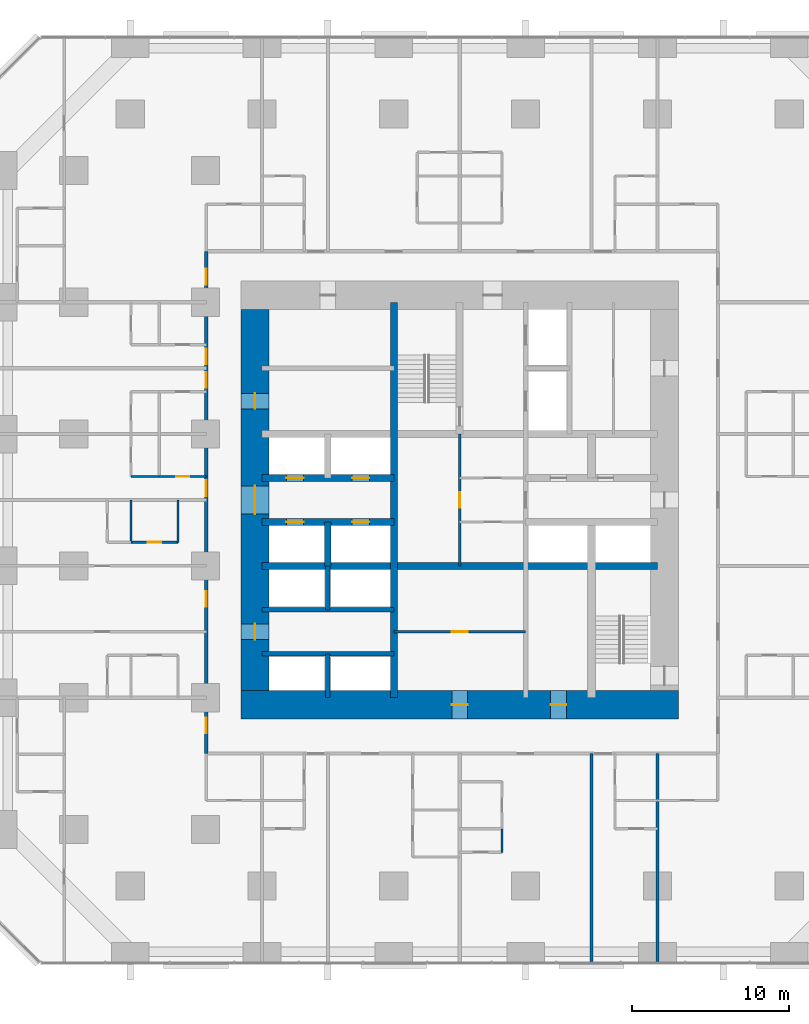
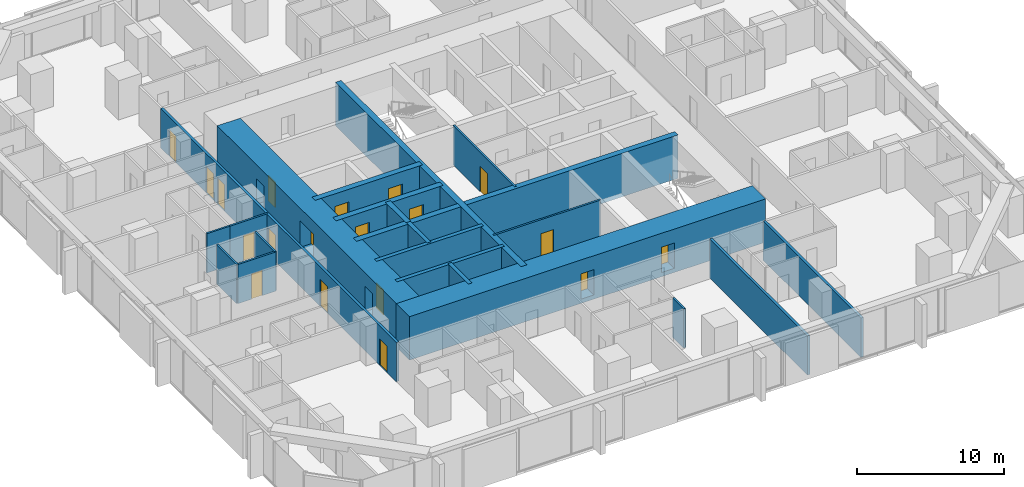
# One storey, part 12 of 17: 22 walls, 19 doors, 19 openings.
"""IFC4 building model written with IfcOpenShell, lengths in metres."""

from ifc_helpers import new_model, si_unit, direction, frame, frame_2d, origin, place, context, subcontext, project, spatial, rectangle, extrude, material, layer, layer_set, type_object, element, fill, save


model = new_model("IFC4")

# Units and contexts
model_context = context("Model", 3, precision=1e-05, world=origin(), true_north=direction((0.0, 1.0)))
body_context = subcontext(model_context, "Body", "Model", "MODEL_VIEW")
ifc_project = project(units=[si_unit("LENGTHUNIT", "METRE"), si_unit("AREAUNIT", "SQUARE_METRE"), si_unit("VOLUMEUNIT", "CUBIC_METRE"), si_unit("PLANEANGLEUNIT", "RADIAN"), si_unit("MASSUNIT", "GRAM", prefix="KILO")], contexts=[model_context])

# Site, building, storey
site_placement = place(None, origin())
site = spatial("IfcSite", under=ifc_project, at=site_placement, CompositionType="ELEMENT")
building_placement = place(site_placement, origin())
building = spatial("IfcBuilding", under=site, at=building_placement, Name="Dunama Terrace Hotel", CompositionType="ELEMENT")
storey_placement = place(building_placement, frame((0.0, 0.0, 34.199951171875)))
storey = spatial("IfcBuildingStorey", under=building, at=storey_placement, Name="L07", CompositionType="ELEMENT", Elevation=34.199951171875)

# Wall
ifc_material_1 = material(Name="Gypsum board partition", Category="masonry")
ifc_layer_1 = layer(ifc_material_1, 0.14990234375)
ifc_layer_set_1 = layer_set([ifc_layer_1], Name="Bathroom partition 150")
wall_type_1 = type_object("IfcWallType", Name="Bathroom partition 150", PredefinedType="PARTITIONING", material=ifc_layer_set_1)
wall_1_placement = place(storey_placement, frame((11.449951171875, 26.699951171875, 0.0), z_axis=(0.0, 0.0, 1.0), x_axis=(0.0, 1.0, 0.0)))
element("IfcWall", 1, at=wall_1_placement, inside=storey, type_object=wall_type_1, Name="Bathroom partition 150 L07", PredefinedType="PARTITIONING", context=body_context, shape_type="SweptSolid", body=[
    extrude(rectangle(XDim=2.699951171875, YDim=0.14990234375, at=frame_2d((1.35009765625, 0.0))), origin(), (0.0, 0.0, 1.0), 3.25),
])

# Wall, opening, door
wall_2_placement = place(storey_placement, frame((8.449951171875, 26.699951171875, 0.0), z_axis=(0.0, 0.0, 1.0), x_axis=(1.0, 0.0, 0.0)))
wall_2 = element("IfcWall", 2, at=wall_2_placement, inside=storey, type_object=wall_type_1, Name="Bathroom partition 150 L07", PredefinedType="PARTITIONING", context=body_context, shape_type="SweptSolid", body=[
    extrude(rectangle(XDim=3.0, YDim=0.14990234375, at=frame_2d((1.5, 0.0))), origin(), (0.0, 0.0, 1.0), 3.25),
])
opening_1_placement = place(wall_2_placement, frame((1.074951171875, 0.0, 0.0)))
opening_1 = element("IfcOpeningElement", 3, at=opening_1_placement, cuts=wall_2, Name="Opening L07-09-047", PredefinedType="OPENING", context=body_context, shape_type="SweptSolid", body=[
    extrude(rectangle(XDim=0.85009765625, YDim=2.10009765625, at=frame_2d((0.425048828125, 1.050048828125))), frame((0.0, 0.0849609375, 0.0), z_axis=(0.0, -1.0, 0.0), x_axis=(1.0, 0.0, 0.0)), (0.0, 0.0, 1.0), 0.169921875),
])
ifc_material_2 = material(Name="Timber door with steel frame", Category="steel")
door_type_1 = type_object("IfcDoorType", Name="Bathroom door 850", OperationType="SINGLE_SWING_LEFT", PredefinedType="DOOR", material=ifc_material_2)
door_1_placement = place(opening_1_placement, origin())
door_1 = element("IfcDoor", 4, at=door_1_placement, inside=storey, type_object=door_type_1, Name="Door to en-suite bathroom L07-09-047, type D2", OperationType="SINGLE_SWING_LEFT", OverallHeight=2.10009765625, OverallWidth=0.85009765625, PredefinedType="DOOR", context=body_context, shape_type="SweptSolid", body=[
    extrude(rectangle(XDim=0.85009765625, YDim=2.10009765625, at=frame_2d((0.425048828125, 1.050048828125))), frame((0.0, 0.02490234375, 0.0), z_axis=(0.0, -1.0, 0.0), x_axis=(1.0, 0.0, 0.0)), (0.0, 0.0, 1.0), 0.050048828125),
])
fill(opening_1, door_1)

wall_3_placement = place(storey_placement, frame((10.25, 30.89990234375, 0.0), z_axis=(0.0, 0.0, 1.0), x_axis=(1.0, 0.0, 0.0)))
wall_3 = element("IfcWall", 5, at=wall_3_placement, inside=storey, type_object=wall_type_1, Name="Bathroom partition 150 L07", PredefinedType="PARTITIONING", context=body_context, shape_type="SweptSolid", body=[
    extrude(rectangle(XDim=3.0, YDim=0.14990234375, at=frame_2d((1.5, 0.0))), origin(), (0.0, 0.0, 1.0), 3.25),
])
opening_2_placement = place(wall_3_placement, frame((1.074951171875, 0.0, 0.0)))
opening_2 = element("IfcOpeningElement", 6, at=opening_2_placement, cuts=wall_3, Name="Opening L07-09-050", PredefinedType="OPENING", context=body_context, shape_type="SweptSolid", body=[
    extrude(rectangle(XDim=0.85009765625, YDim=2.10009765625, at=frame_2d((0.425048828125, 1.050048828125))), frame((0.0, 0.0849609375, 0.0), z_axis=(0.0, -1.0, 0.0), x_axis=(1.0, 0.0, 0.0)), (0.0, 0.0, 1.0), 0.169921875),
])
door_2_placement = place(opening_2_placement, origin())
door_2 = element("IfcDoor", 7, at=door_2_placement, inside=storey, type_object=door_type_1, Name="Door to en-suite bathroom L07-09-050, type D2", OperationType="SINGLE_SWING_RIGHT", OverallHeight=2.10009765625, OverallWidth=0.85009765625, PredefinedType="DOOR", context=body_context, shape_type="SweptSolid", body=[
    extrude(rectangle(XDim=0.85009765625, YDim=2.10009765625, at=frame_2d((0.425048828125, 1.050048828125))), frame((0.0, 0.02490234375, 0.0), z_axis=(0.0, -1.0, 0.0), x_axis=(1.0, 0.0, 0.0)), (0.0, 0.0, 1.0), 0.050048828125),
])
fill(opening_2, door_2)

# Walls
ifc_material_3 = material(Name="Concrete C50/60", Category="concrete")
ifc_layer_2 = layer(ifc_material_3, 0.300048828125)
ifc_layer_set_2 = layer_set([ifc_layer_2], Name="Core inner wall 300")
wall_type_2 = type_object("IfcWallType", Name="Core inner wall 300", PredefinedType="SHEAR", material=ifc_layer_set_2)
for number, where, z_axis, x_axis, name in (
    (8, (21.0, 16.800048828125, -0.349853515625), (0.0, 0.0, 1.0), (0.0, 1.0, 0.0), "Core inner wall 300 L07"),
    (9, (21.0, 22.39990234375, -0.349853515625), (0.0, 0.0, 1.0), (0.0, 1.0, 0.0), "Core inner wall 300 L07"),
):
    element("IfcWall", number, at=place(storey_placement, frame(where, z_axis=z_axis, x_axis=x_axis)), inside=storey, type_object=wall_type_2, Name=name, PredefinedType="SHEAR", context=body_context, shape_type="SweptSolid", body=[
        extrude(rectangle(XDim=2.800048828125, YDim=0.300048828125, at=frame_2d((1.39990234375, 0.0))), origin(), (0.0, 0.0, 1.0), 3.599853515625),
    ])
for number, where, z_axis, x_axis, name in (
    (10, (16.800048828125, 19.60009765625, -0.349853515625), (0.0, 0.0, 1.0), (1.0, 0.0, 0.0), "Core inner wall 300 L07"),
    (11, (16.800048828125, 22.39990234375, -0.349853515625), (0.0, 0.0, 1.0), (1.0, 0.0, 0.0), "Core inner wall 300 L07"),
):
    element("IfcWall", number, at=place(storey_placement, frame(where, z_axis=z_axis, x_axis=x_axis)), inside=storey, type_object=wall_type_2, Name=name, PredefinedType="SHEAR", context=body_context, shape_type="SweptSolid", body=[
        extrude(rectangle(XDim=8.39990234375, YDim=0.300048828125, at=frame_2d((4.199951171875, 0.0))), origin(), (0.0, 0.0, 1.0), 3.599853515625),
    ])
ifc_material_4 = material(Name="Concrete C50/60", Category="concrete")
ifc_layer_3 = layer(ifc_material_4, 0.39990234375)
ifc_layer_set_3 = layer_set([ifc_layer_3], Name="Core inner wall 400")
wall_type_3 = type_object("IfcWallType", Name="Core inner wall 400", PredefinedType="SHEAR", material=ifc_layer_set_3)
wall_4_placement = place(storey_placement, frame((21.0, 25.199951171875, -0.349853515625), z_axis=(0.0, 0.0, 1.0), x_axis=(0.0, 1.0, 0.0)))
element("IfcWall", 12, at=wall_4_placement, inside=storey, type_object=wall_type_3, Name="Core inner wall 400 L07", PredefinedType="SHEAR", context=body_context, shape_type="SweptSolid", body=[
    extrude(rectangle(XDim=2.800048828125, YDim=0.39990234375, at=frame_2d((1.39990234375, 0.0))), origin(), (0.0, 0.0, 1.0), 3.599853515625),
])
ifc_material_5 = material(Name="Concrete C50/60", Category="concrete")
ifc_layer_4 = layer(ifc_material_5, 0.449951171875)
ifc_layer_set_4 = layer_set([ifc_layer_4], Name="Core inner wall 450")
wall_type_4 = type_object("IfcWallType", Name="Core inner wall 450", PredefinedType="SHEAR", material=ifc_layer_set_4)
for number, where, z_axis, x_axis, name in (
    (13, (25.199951171875, 16.800048828125, -0.349853515625), (0.0, 0.0, 1.0), (0.0, 1.0, 0.0), "Core inner wall 450 L07"),
    (14, (16.800048828125, 25.199951171875, -0.349853515625), (0.0, 0.0, 1.0), (1.0, 0.0, 0.0), "Core inner wall 450 L07"),
):
    element("IfcWall", number, at=place(storey_placement, frame(where, z_axis=z_axis, x_axis=x_axis)), inside=storey, type_object=wall_type_4, Name=name, PredefinedType="SHEAR", context=body_context, shape_type="SweptSolid", body=[
        extrude(rectangle(XDim=25.199951171875, YDim=0.449951171875, at=frame_2d((12.60009765625, 0.0))), origin(), (0.0, 0.0, 1.0), 3.599853515625),
    ])

# Wall, openings, doors
wall_5_placement = place(storey_placement, frame((16.800048828125, 28.0, -0.349853515625), z_axis=(0.0, 0.0, 1.0), x_axis=(1.0, 0.0, 0.0)))
wall_5 = element("IfcWall", 15, at=wall_5_placement, inside=storey, type_object=wall_type_4, Name="Core inner wall 450 L07", PredefinedType="SHEAR", context=body_context, shape_type="SweptSolid", body=[
    extrude(rectangle(XDim=8.39990234375, YDim=0.449951171875, at=frame_2d((4.199951171875, 0.0))), origin(), (0.0, 0.0, 1.0), 3.599853515625),
])
opening_3_placement = place(wall_5_placement, frame((1.550048828125, 0.0, 0.35009765625)))
opening_3 = element("IfcOpeningElement", 16, at=opening_3_placement, cuts=wall_5, Name="Opening L07-09-003", PredefinedType="OPENING", context=body_context, shape_type="SweptSolid", body=[
    extrude(rectangle(XDim=1.10009765625, YDim=2.199951171875, at=frame_2d((0.550048828125, 1.10009765625))), frame((0.0, 0.23486328125, 0.0), z_axis=(0.0, -1.0, 0.0), x_axis=(1.0, 0.0, 0.0)), (0.0, 0.0, 1.0), 0.469970703125),
])
opening_4_placement = place(wall_5_placement, frame((5.75, 0.0, 0.35009765625)))
opening_4 = element("IfcOpeningElement", 17, at=opening_4_placement, cuts=wall_5, Name="Opening L07-09-004", PredefinedType="OPENING", context=body_context, shape_type="SweptSolid", body=[
    extrude(rectangle(XDim=1.10009765625, YDim=2.199951171875, at=frame_2d((0.550048828125, 1.10009765625))), frame((0.0, 0.23486328125, 0.0), z_axis=(0.0, -1.0, 0.0), x_axis=(1.0, 0.0, 0.0)), (0.0, 0.0, 1.0), 0.469970703125),
])
ifc_material_6 = material(Name="Stainless steel lift door", Category="steel")
door_type_2 = type_object("IfcDoorType", Name="Lift landing door 1100", OperationType="DOUBLE_DOOR_SLIDING", PredefinedType="DOOR", material=ifc_material_6)
door_3_placement = place(opening_3_placement, origin())
door_3 = element("IfcDoor", 18, at=door_3_placement, inside=storey, type_object=door_type_2, Name="Landing door PA1 L07-09-003, type LD1", OperationType="DOUBLE_DOOR_SLIDING", OverallHeight=2.199951171875, OverallWidth=1.10009765625, PredefinedType="DOOR", context=body_context, shape_type="SweptSolid", body=[
    extrude(rectangle(XDim=1.10009765625, YDim=2.199951171875, at=frame_2d((0.550048828125, 1.10009765625))), frame((0.0, 0.02490234375, 0.0), z_axis=(0.0, -1.0, 0.0), x_axis=(1.0, 0.0, 0.0)), (0.0, 0.0, 1.0), 0.050048828125),
])
fill(opening_3, door_3)
door_4_placement = place(opening_4_placement, origin())
door_4 = element("IfcDoor", 19, at=door_4_placement, inside=storey, type_object=door_type_2, Name="Landing door PA2 L07-09-004, type LD1", OperationType="DOUBLE_DOOR_SLIDING", OverallHeight=2.199951171875, OverallWidth=1.10009765625, PredefinedType="DOOR", context=body_context, shape_type="SweptSolid", body=[
    extrude(rectangle(XDim=1.10009765625, YDim=2.199951171875, at=frame_2d((0.550048828125, 1.10009765625))), frame((0.0, 0.02490234375, 0.0), z_axis=(0.0, -1.0, 0.0), x_axis=(1.0, 0.0, 0.0)), (0.0, 0.0, 1.0), 0.050048828125),
])
fill(opening_4, door_4)

wall_6_placement = place(storey_placement, frame((16.800048828125, 30.800048828125, -0.349853515625), z_axis=(0.0, 0.0, 1.0), x_axis=(1.0, 0.0, 0.0)))
wall_6 = element("IfcWall", 20, at=wall_6_placement, inside=storey, type_object=wall_type_4, Name="Core inner wall 450 L07", PredefinedType="SHEAR", context=body_context, shape_type="SweptSolid", body=[
    extrude(rectangle(XDim=8.39990234375, YDim=0.449951171875, at=frame_2d((4.199951171875, 0.0))), origin(), (0.0, 0.0, 1.0), 3.599853515625),
])
opening_5_placement = place(wall_6_placement, frame((1.550048828125, 0.0, 0.35009765625)))
opening_5 = element("IfcOpeningElement", 21, at=opening_5_placement, cuts=wall_6, Name="Opening L07-09-005", PredefinedType="OPENING", context=body_context, shape_type="SweptSolid", body=[
    extrude(rectangle(XDim=1.10009765625, YDim=2.199951171875, at=frame_2d((0.550048828125, 1.10009765625))), frame((0.0, 0.23486328125, 0.0), z_axis=(0.0, -1.0, 0.0), x_axis=(1.0, 0.0, 0.0)), (0.0, 0.0, 1.0), 0.469970703125),
])
opening_6_placement = place(wall_6_placement, frame((5.75, 0.0, 0.35009765625)))
opening_6 = element("IfcOpeningElement", 22, at=opening_6_placement, cuts=wall_6, Name="Opening L07-09-006", PredefinedType="OPENING", context=body_context, shape_type="SweptSolid", body=[
    extrude(rectangle(XDim=1.10009765625, YDim=2.199951171875, at=frame_2d((0.550048828125, 1.10009765625))), frame((0.0, 0.23486328125, 0.0), z_axis=(0.0, -1.0, 0.0), x_axis=(1.0, 0.0, 0.0)), (0.0, 0.0, 1.0), 0.469970703125),
])
door_5_placement = place(opening_5_placement, origin())
door_5 = element("IfcDoor", 23, at=door_5_placement, inside=storey, type_object=door_type_2, Name="Landing door PA3 L07-09-005, type LD1", OperationType="DOUBLE_DOOR_SLIDING", OverallHeight=2.199951171875, OverallWidth=1.10009765625, PredefinedType="DOOR", context=body_context, shape_type="SweptSolid", body=[
    extrude(rectangle(XDim=1.10009765625, YDim=2.199951171875, at=frame_2d((0.550048828125, 1.10009765625))), frame((0.0, 0.02490234375, 0.0), z_axis=(0.0, -1.0, 0.0), x_axis=(1.0, 0.0, 0.0)), (0.0, 0.0, 1.0), 0.050048828125),
])
fill(opening_5, door_5)
door_6_placement = place(opening_6_placement, origin())
door_6 = element("IfcDoor", 24, at=door_6_placement, inside=storey, type_object=door_type_2, Name="Landing door PA4 L07-09-006, type LD1", OperationType="DOUBLE_DOOR_SLIDING", OverallHeight=2.199951171875, OverallWidth=1.10009765625, PredefinedType="DOOR", context=body_context, shape_type="SweptSolid", body=[
    extrude(rectangle(XDim=1.10009765625, YDim=2.199951171875, at=frame_2d((0.550048828125, 1.10009765625))), frame((0.0, 0.02490234375, 0.0), z_axis=(0.0, -1.0, 0.0), x_axis=(1.0, 0.0, 0.0)), (0.0, 0.0, 1.0), 0.050048828125),
])
fill(opening_6, door_6)

ifc_material_7 = material(Name="Concrete C60/75", Category="concrete")
ifc_layer_5 = layer(ifc_material_7, 1.800048828125)
ifc_layer_set_5 = layer_set([ifc_layer_5], Name="Core wall 1800")
wall_type_5 = type_object("IfcWallType", Name="Core wall 1800", PredefinedType="SHEAR", material=ifc_layer_set_5)
wall_7_placement = place(storey_placement, frame((15.449951171875, 16.35009765625, -0.349853515625), z_axis=(0.0, 0.0, 1.0), x_axis=(1.0, 0.0, 0.0)))
wall_7 = element("IfcWall", 25, at=wall_7_placement, inside=storey, type_object=wall_type_5, Name="Core wall south L07", PredefinedType="SHEAR", context=body_context, shape_type="SweptSolid", body=[
    extrude(rectangle(XDim=27.900146484375, YDim=1.800048828125, at=frame_2d((13.9501953125, 0.0))), origin(), (0.0, 0.0, 1.0), 3.599853515625),
])
opening_7_placement = place(wall_7_placement, frame((13.449951171875, 0.0, 0.35009765625)))
opening_7 = element("IfcOpeningElement", 26, at=opening_7_placement, cuts=wall_7, Name="Opening L07-09-092", PredefinedType="OPENING", context=body_context, shape_type="SweptSolid", body=[
    extrude(rectangle(XDim=1.0, YDim=2.10009765625, at=frame_2d((0.5, 1.050048828125))), frame((0.0, 0.909912109375, 0.0), z_axis=(0.0, -1.0, 0.0), x_axis=(1.0, 0.0, 0.0)), (0.0, 0.0, 1.0), 1.820068359375),
])
opening_8_placement = place(wall_7_placement, frame((19.75, 0.0, 0.35009765625)))
opening_8 = element("IfcOpeningElement", 27, at=opening_8_placement, cuts=wall_7, Name="Opening L07-09-094", PredefinedType="OPENING", context=body_context, shape_type="SweptSolid", body=[
    extrude(rectangle(XDim=1.0, YDim=2.10009765625, at=frame_2d((0.5, 1.050048828125))), frame((0.0, 0.909912109375, 0.0), z_axis=(0.0, -1.0, 0.0), x_axis=(1.0, 0.0, 0.0)), (0.0, 0.0, 1.0), 1.820068359375),
])
ifc_material_8 = material(Name="Timber door with steel frame", Category="steel")
door_type_3 = type_object("IfcDoorType", Name="Service door 1000", OperationType="SINGLE_SWING_LEFT", PredefinedType="DOOR", material=ifc_material_8)
door_7_placement = place(opening_7_placement, origin())
door_7 = element("IfcDoor", 28, at=door_7_placement, inside=storey, type_object=door_type_3, Name="Door to corridor air handling room L07-09-092, type D7", OperationType="SINGLE_SWING_LEFT", OverallHeight=2.10009765625, OverallWidth=1.0, PredefinedType="DOOR", context=body_context, shape_type="SweptSolid", body=[
    extrude(rectangle(XDim=1.0, YDim=2.10009765625, at=frame_2d((0.5, 1.050048828125))), frame((0.0, 0.02490234375, 0.0), z_axis=(0.0, -1.0, 0.0), x_axis=(1.0, 0.0, 0.0)), (0.0, 0.0, 1.0), 0.050048828125),
])
fill(opening_7, door_7)
door_8_placement = place(opening_8_placement, origin())
door_8 = element("IfcDoor", 29, at=door_8_placement, inside=storey, type_object=door_type_3, Name="Door to water riser room L07-09-094, type D7", OperationType="SINGLE_SWING_RIGHT", OverallHeight=2.10009765625, OverallWidth=1.0, PredefinedType="DOOR", context=body_context, shape_type="SweptSolid", body=[
    extrude(rectangle(XDim=1.0, YDim=2.10009765625, at=frame_2d((0.5, 1.050048828125))), frame((0.0, 0.02490234375, 0.0), z_axis=(0.0, -1.0, 0.0), x_axis=(1.0, 0.0, 0.0)), (0.0, 0.0, 1.0), 0.050048828125),
])
fill(opening_8, door_8)

wall_8_placement = place(storey_placement, frame((16.35009765625, 41.550048828125, -0.349853515625), z_axis=(0.0, 0.0, 1.0), x_axis=(0.0, -1.0, 0.0)))
wall_8 = element("IfcWall", 30, at=wall_8_placement, inside=storey, type_object=wall_type_5, Name="Core wall west L07", PredefinedType="SHEAR", context=body_context, shape_type="SweptSolid", body=[
    extrude(rectangle(XDim=24.300048828125, YDim=1.800048828125, at=frame_2d((12.14990234375, 0.0))), origin(), (0.0, 0.0, 1.0), 3.599853515625),
])
opening_9_placement = place(wall_8_placement, frame((11.25, 0.0, 0.35009765625)))
opening_9 = element("IfcOpeningElement", 31, at=opening_9_placement, cuts=wall_8, Name="Opening L07-09-078", PredefinedType="OPENING", context=body_context, shape_type="SweptSolid", body=[
    extrude(rectangle(XDim=1.800048828125, YDim=2.199951171875, at=frame_2d((0.89990234375, 1.10009765625))), frame((0.0, 0.909912109375, 0.0), z_axis=(0.0, -1.0, 0.0), x_axis=(1.0, 0.0, 0.0)), (0.0, 0.0, 1.0), 1.820068359375),
])
opening_10_placement = place(wall_8_placement, frame((20.050048828125, 0.0, 0.35009765625)))
opening_10 = element("IfcOpeningElement", 32, at=opening_10_placement, cuts=wall_8, Name="Opening L07-09-079", PredefinedType="OPENING", context=body_context, shape_type="SweptSolid", body=[
    extrude(rectangle(XDim=1.0, YDim=2.10009765625, at=frame_2d((0.5, 1.050048828125))), frame((0.0, 0.909912109375, 0.0), z_axis=(0.0, -1.0, 0.0), x_axis=(1.0, 0.0, 0.0)), (0.0, 0.0, 1.0), 1.820068359375),
])
opening_11_placement = place(wall_8_placement, frame((5.35009765625, 0.0, 0.35009765625)))
opening_11 = element("IfcOpeningElement", 33, at=opening_11_placement, cuts=wall_8, Name="Opening L07-09-080", PredefinedType="OPENING", context=body_context, shape_type="SweptSolid", body=[
    extrude(rectangle(XDim=1.0, YDim=2.10009765625, at=frame_2d((0.5, 1.050048828125))), frame((0.0, 0.909912109375, 0.0), z_axis=(0.0, -1.0, 0.0), x_axis=(1.0, 0.0, 0.0)), (0.0, 0.0, 1.0), 1.820068359375),
])
ifc_material_9 = material(Name="Timber door with steel frame", Category="steel")
door_type_4 = type_object("IfcDoorType", Name="Lift lobby double door 1800", OperationType="DOUBLE_DOOR_DOUBLE_SWING", PredefinedType="DOOR", material=ifc_material_9)
door_9_placement = place(opening_9_placement, origin())
door_9 = element("IfcDoor", 34, at=door_9_placement, inside=storey, type_object=door_type_4, Name="Door to lift lobby L07-09-078, type D3", OperationType="DOUBLE_DOOR_DOUBLE_SWING", OverallHeight=2.199951171875, OverallWidth=1.800048828125, PredefinedType="DOOR", context=body_context, shape_type="SweptSolid", body=[
    extrude(rectangle(XDim=1.800048828125, YDim=2.199951171875, at=frame_2d((0.89990234375, 1.10009765625))), frame((0.0, 0.02490234375, 0.0), z_axis=(0.0, -1.0, 0.0), x_axis=(1.0, 0.0, 0.0)), (0.0, 0.0, 1.0), 0.050048828125),
])
fill(opening_9, door_9)
door_10_placement = place(opening_10_placement, origin())
door_10 = element("IfcDoor", 35, at=door_10_placement, inside=storey, type_object=door_type_3, Name="Door to service lobby L07-09-079, type D7", OperationType="SINGLE_SWING_RIGHT", OverallHeight=2.10009765625, OverallWidth=1.0, PredefinedType="DOOR", context=body_context, shape_type="SweptSolid", body=[
    extrude(rectangle(XDim=1.0, YDim=2.10009765625, at=frame_2d((0.5, 1.050048828125))), frame((0.0, 0.02490234375, 0.0), z_axis=(0.0, -1.0, 0.0), x_axis=(1.0, 0.0, 0.0)), (0.0, 0.0, 1.0), 0.050048828125),
])
fill(opening_10, door_10)
door_11_placement = place(opening_11_placement, origin())
door_11 = element("IfcDoor", 36, at=door_11_placement, inside=storey, type_object=door_type_3, Name="Door to electrical room L07-09-080, type D7", OperationType="SINGLE_SWING_RIGHT", OverallHeight=2.10009765625, OverallWidth=1.0, PredefinedType="DOOR", context=body_context, shape_type="SweptSolid", body=[
    extrude(rectangle(XDim=1.0, YDim=2.10009765625, at=frame_2d((0.5, 1.050048828125))), frame((0.0, 0.02490234375, 0.0), z_axis=(0.0, -1.0, 0.0), x_axis=(1.0, 0.0, 0.0)), (0.0, 0.0, 1.0), 0.050048828125),
])
fill(opening_11, door_11)

ifc_material_10 = material(Name="Concrete blockwork", Category="masonry")
ifc_layer_6 = layer(ifc_material_10, 0.199951171875)
ifc_layer_set_6 = layer_set([ifc_layer_6], Name="Corridor partition 200")
wall_type_6 = type_object("IfcWallType", Name="Corridor partition 200", PredefinedType="PARTITIONING", material=ifc_layer_set_6)
wall_9_placement = place(storey_placement, frame((13.25, 13.25, 0.0), z_axis=(0.0, 0.0, 1.0), x_axis=(0.0, 1.0, 0.0)))
wall_9 = element("IfcWall", 37, at=wall_9_placement, inside=storey, type_object=wall_type_6, Name="Corridor partition 200 L07", PredefinedType="PARTITIONING", context=body_context, shape_type="SweptSolid", body=[
    extrude(rectangle(XDim=32.0, YDim=0.199951171875, at=frame_2d((16.0, 0.0))), origin(), (0.0, 0.0, 1.0), 3.25),
])
opening_12_placement = place(wall_9_placement, frame((9.35009765625, 0.0, 0.0)))
opening_12 = element("IfcOpeningElement", 38, at=opening_12_placement, cuts=wall_9, Name="Opening L07-09-042", PredefinedType="OPENING", context=body_context, shape_type="SweptSolid", body=[
    extrude(rectangle(XDim=1.0, YDim=2.199951171875, at=frame_2d((0.5, 1.10009765625))), frame((0.0, 0.10986328125, 0.0), z_axis=(0.0, -1.0, 0.0), x_axis=(1.0, 0.0, 0.0)), (0.0, 0.0, 1.0), 0.219970703125),
])
opening_13_placement = place(wall_9_placement, frame((16.39990234375, 0.0, 0.0)))
opening_13 = element("IfcOpeningElement", 39, at=opening_13_placement, cuts=wall_9, Name="Opening L07-09-049", PredefinedType="OPENING", context=body_context, shape_type="SweptSolid", body=[
    extrude(rectangle(XDim=1.0, YDim=2.199951171875, at=frame_2d((0.5, 1.10009765625))), frame((0.0, 0.10986328125, 0.0), z_axis=(0.0, -1.0, 0.0), x_axis=(1.0, 0.0, 0.0)), (0.0, 0.0, 1.0), 0.219970703125),
])
opening_14_placement = place(wall_9_placement, frame((23.300048828125, 0.0, 0.0)))
opening_14 = element("IfcOpeningElement", 40, at=opening_14_placement, cuts=wall_9, Name="Opening L07-09-052", PredefinedType="OPENING", context=body_context, shape_type="SweptSolid", body=[
    extrude(rectangle(XDim=1.0, YDim=2.199951171875, at=frame_2d((0.5, 1.10009765625))), frame((0.0, 0.10986328125, 0.0), z_axis=(0.0, -1.0, 0.0), x_axis=(1.0, 0.0, 0.0)), (0.0, 0.0, 1.0), 0.219970703125),
])
opening_15_placement = place(wall_9_placement, frame((24.800048828125, 0.0, 0.0)))
opening_15 = element("IfcOpeningElement", 41, at=opening_15_placement, cuts=wall_9, Name="Opening L07-09-055", PredefinedType="OPENING", context=body_context, shape_type="SweptSolid", body=[
    extrude(rectangle(XDim=1.0, YDim=2.199951171875, at=frame_2d((0.5, 1.10009765625))), frame((0.0, 0.10986328125, 0.0), z_axis=(0.0, -1.0, 0.0), x_axis=(1.0, 0.0, 0.0)), (0.0, 0.0, 1.0), 0.219970703125),
])
opening_16_placement = place(wall_9_placement, frame((1.27490234375, 0.0, 0.0)))
opening_16 = element("IfcOpeningElement", 42, at=opening_16_placement, cuts=wall_9, Name="Opening L07-09-058", PredefinedType="OPENING", context=body_context, shape_type="SweptSolid", body=[
    extrude(rectangle(XDim=1.0, YDim=2.199951171875, at=frame_2d((0.5, 1.10009765625))), frame((0.0, 0.10986328125, 0.0), z_axis=(0.0, -1.0, 0.0), x_axis=(1.0, 0.0, 0.0)), (0.0, 0.0, 1.0), 0.219970703125),
])
opening_17_placement = place(wall_9_placement, frame((29.875, 0.0, 0.0)))
opening_17 = element("IfcOpeningElement", 43, at=opening_17_placement, cuts=wall_9, Name="Opening L07-09-073", PredefinedType="OPENING", context=body_context, shape_type="SweptSolid", body=[
    extrude(rectangle(XDim=1.0, YDim=2.199951171875, at=frame_2d((0.5, 1.10009765625))), frame((0.0, 0.10986328125, 0.0), z_axis=(0.0, -1.0, 0.0), x_axis=(1.0, 0.0, 0.0)), (0.0, 0.0, 1.0), 0.219970703125),
])
ifc_material_11 = material(Name="Timber door with steel frame", Category="steel")
door_type_5 = type_object("IfcDoorType", Name="Guest room door 1000", OperationType="SINGLE_SWING_LEFT", PredefinedType="DOOR", material=ifc_material_11)
door_12_placement = place(opening_12_placement, origin())
door_12 = element("IfcDoor", 44, at=door_12_placement, inside=storey, type_object=door_type_5, Name="Door to family suite living room L07-09-042, type D1", OperationType="SINGLE_SWING_RIGHT", OverallHeight=2.199951171875, OverallWidth=1.0, PredefinedType="DOOR", context=body_context, shape_type="SweptSolid", body=[
    extrude(rectangle(XDim=1.0, YDim=2.199951171875, at=frame_2d((0.5, 1.10009765625))), frame((0.0, 0.02490234375, 0.0), z_axis=(0.0, -1.0, 0.0), x_axis=(1.0, 0.0, 0.0)), (0.0, 0.0, 1.0), 0.050048828125),
])
fill(opening_12, door_12)
door_13_placement = place(opening_13_placement, origin())
door_13 = element("IfcDoor", 45, at=door_13_placement, inside=storey, type_object=door_type_5, Name="Door to deluxe room L07-09-049, type D1", OperationType="SINGLE_SWING_LEFT", OverallHeight=2.199951171875, OverallWidth=1.0, PredefinedType="DOOR", context=body_context, shape_type="SweptSolid", body=[
    extrude(rectangle(XDim=1.0, YDim=2.199951171875, at=frame_2d((0.5, 1.10009765625))), frame((0.0, 0.02490234375, 0.0), z_axis=(0.0, -1.0, 0.0), x_axis=(1.0, 0.0, 0.0)), (0.0, 0.0, 1.0), 0.050048828125),
])
fill(opening_13, door_13)
door_14_placement = place(opening_14_placement, origin())
door_14 = element("IfcDoor", 46, at=door_14_placement, inside=storey, type_object=door_type_5, Name="Door to deluxe room L07-09-052, type D1", OperationType="SINGLE_SWING_RIGHT", OverallHeight=2.199951171875, OverallWidth=1.0, PredefinedType="DOOR", context=body_context, shape_type="SweptSolid", body=[
    extrude(rectangle(XDim=1.0, YDim=2.199951171875, at=frame_2d((0.5, 1.10009765625))), frame((0.0, 0.02490234375, 0.0), z_axis=(0.0, -1.0, 0.0), x_axis=(1.0, 0.0, 0.0)), (0.0, 0.0, 1.0), 0.050048828125),
])
fill(opening_14, door_14)
door_15_placement = place(opening_15_placement, origin())
door_15 = element("IfcDoor", 47, at=door_15_placement, inside=storey, type_object=door_type_5, Name="Door to deluxe room L07-09-055, type D1", OperationType="SINGLE_SWING_LEFT", OverallHeight=2.199951171875, OverallWidth=1.0, PredefinedType="DOOR", context=body_context, shape_type="SweptSolid", body=[
    extrude(rectangle(XDim=1.0, YDim=2.199951171875, at=frame_2d((0.5, 1.10009765625))), frame((0.0, 0.02490234375, 0.0), z_axis=(0.0, -1.0, 0.0), x_axis=(1.0, 0.0, 0.0)), (0.0, 0.0, 1.0), 0.050048828125),
])
fill(opening_15, door_15)
door_16_placement = place(opening_16_placement, origin())
door_16 = element("IfcDoor", 48, at=door_16_placement, inside=storey, type_object=door_type_5, Name="Door to corner suite living room L07-09-058, type D1", OperationType="SINGLE_SWING_RIGHT", OverallHeight=2.199951171875, OverallWidth=1.0, PredefinedType="DOOR", context=body_context, shape_type="SweptSolid", body=[
    extrude(rectangle(XDim=1.0, YDim=2.199951171875, at=frame_2d((0.5, 1.10009765625))), frame((0.0, 0.02490234375, 0.0), z_axis=(0.0, -1.0, 0.0), x_axis=(1.0, 0.0, 0.0)), (0.0, 0.0, 1.0), 0.050048828125),
])
fill(opening_16, door_16)
door_17_placement = place(opening_17_placement, origin())
door_17 = element("IfcDoor", 49, at=door_17_placement, inside=storey, type_object=door_type_5, Name="Door to corner suite living room L07-09-073, type D1", OperationType="SINGLE_SWING_LEFT", OverallHeight=2.199951171875, OverallWidth=1.0, PredefinedType="DOOR", context=body_context, shape_type="SweptSolid", body=[
    extrude(rectangle(XDim=1.0, YDim=2.199951171875, at=frame_2d((0.5, 1.10009765625))), frame((0.0, 0.02490234375, 0.0), z_axis=(0.0, -1.0, 0.0), x_axis=(1.0, 0.0, 0.0)), (0.0, 0.0, 1.0), 0.050048828125),
])
fill(opening_17, door_17)

# Walls
ifc_material_12 = material(Name="Concrete blockwork", Category="masonry")
ifc_layer_7 = layer(ifc_material_12, 0.199951171875)
ifc_layer_set_7 = layer_set([ifc_layer_7], Name="Party wall 200")
wall_type_7 = type_object("IfcWallType", Name="Party wall 200", PredefinedType="PARTITIONING", material=ifc_layer_set_7)
for number, where, z_axis, x_axis, name in (
    (50, (37.800048828125, -0.008056640625, 0.0), (0.0, 0.0, 1.0), (0.0, 1.0, 0.0), "Party wall 200 L07"),
    (51, (42.0, -0.008056640625, 0.0), (0.0, 0.0, 1.0), (0.0, 1.0, 0.0), "Party wall 200 L07"),
):
    element("IfcWall", number, at=place(storey_placement, frame(where, z_axis=z_axis, x_axis=x_axis)), inside=storey, type_object=wall_type_7, Name=name, PredefinedType="PARTITIONING", context=body_context, shape_type="SweptSolid", body=[
        extrude(rectangle(XDim=13.258056640625, YDim=0.199951171875, at=frame_2d((6.62890625, 0.0))), origin(), (0.0, 0.0, 1.0), 3.25),
    ])
ifc_material_13 = material(Name="Gypsum board partition", Category="masonry")
ifc_layer_8 = layer(ifc_material_13, 0.14990234375)
ifc_layer_set_8 = layer_set([ifc_layer_8], Name="Room partition 150")
wall_type_8 = type_object("IfcWallType", Name="Room partition 150", PredefinedType="PARTITIONING", material=ifc_layer_set_8)
wall_10_placement = place(storey_placement, frame((8.449951171875, 26.699951171875, 0.0), z_axis=(0.0, 0.0, 1.0), x_axis=(0.0, 1.0, 0.0)))
element("IfcWall", 52, at=wall_10_placement, inside=storey, type_object=wall_type_8, Name="Room partition 150 L07", PredefinedType="PARTITIONING", context=body_context, shape_type="SweptSolid", body=[
    extrude(rectangle(XDim=2.699951171875, YDim=0.14990234375, at=frame_2d((1.35009765625, 0.0))), origin(), (0.0, 0.0, 1.0), 3.25),
])

# Wall, opening, door
wall_11_placement = place(storey_placement, frame((29.39990234375, 25.199951171875, 0.0), z_axis=(0.0, 0.0, 1.0), x_axis=(0.0, 1.0, 0.0)))
wall_11 = element("IfcWall", 53, at=wall_11_placement, inside=storey, type_object=wall_type_8, Name="Room partition 150 L07", PredefinedType="PARTITIONING", context=body_context, shape_type="SweptSolid", body=[
    extrude(rectangle(XDim=8.400146484375, YDim=0.14990234375, at=frame_2d((4.2001953125, 0.0))), origin(), (0.0, 0.0, 1.0), 3.25),
])
opening_18_placement = place(wall_11_placement, frame((3.699951171875, 0.0, 0.0)))
opening_18 = element("IfcOpeningElement", 54, at=opening_18_placement, cuts=wall_11, Name="Opening L07-09-085", PredefinedType="OPENING", context=body_context, shape_type="SweptSolid", body=[
    extrude(rectangle(XDim=1.0, YDim=2.10009765625, at=frame_2d((0.5, 1.050048828125))), frame((0.0, 0.0849609375, 0.0), z_axis=(0.0, -1.0, 0.0), x_axis=(1.0, 0.0, 0.0)), (0.0, 0.0, 1.0), 0.169921875),
])
door_18_placement = place(opening_18_placement, origin())
door_18 = element("IfcDoor", 55, at=door_18_placement, inside=storey, type_object=door_type_3, Name="Door to staff break room L07-09-085, type D7", OperationType="SINGLE_SWING_LEFT", OverallHeight=2.10009765625, OverallWidth=1.0, PredefinedType="DOOR", context=body_context, shape_type="SweptSolid", body=[
    extrude(rectangle(XDim=1.0, YDim=2.10009765625, at=frame_2d((0.5, 1.050048828125))), frame((0.0, 0.02490234375, 0.0), z_axis=(0.0, -1.0, 0.0), x_axis=(1.0, 0.0, 0.0)), (0.0, 0.0, 1.0), 0.050048828125),
])
fill(opening_18, door_18)

# Wall
wall_12_placement = place(storey_placement, frame((32.10009765625, 6.949951171875, 0.0), z_axis=(0.0, 0.0, 1.0), x_axis=(0.0, 1.0, 0.0)))
element("IfcWall", 56, at=wall_12_placement, inside=storey, type_object=wall_type_8, Name="Room partition 150 L07", PredefinedType="PARTITIONING", context=body_context, shape_type="SweptSolid", body=[
    extrude(rectangle(XDim=1.5, YDim=0.14990234375, at=frame_2d((0.75, 0.0))), origin(), (0.0, 0.0, 1.0), 3.25),
])

# Wall, opening, door
wall_13_placement = place(storey_placement, frame((25.199951171875, 21.0, 0.0), z_axis=(0.0, 0.0, 1.0), x_axis=(1.0, 0.0, 0.0)))
wall_13 = element("IfcWall", 57, at=wall_13_placement, inside=storey, type_object=wall_type_8, Name="Room partition 150 L07", PredefinedType="PARTITIONING", context=body_context, shape_type="SweptSolid", body=[
    extrude(rectangle(XDim=8.400146484375, YDim=0.14990234375, at=frame_2d((4.2001953125, 0.0))), origin(), (0.0, 0.0, 1.0), 3.25),
])
opening_19_placement = place(wall_13_placement, frame((3.699951171875, 0.0, 0.0)))
opening_19 = element("IfcOpeningElement", 58, at=opening_19_placement, cuts=wall_13, Name="Opening L07-09-093", PredefinedType="OPENING", context=body_context, shape_type="SweptSolid", body=[
    extrude(rectangle(XDim=1.0, YDim=2.10009765625, at=frame_2d((0.5, 1.050048828125))), frame((0.0, 0.0849609375, 0.0), z_axis=(0.0, -1.0, 0.0), x_axis=(1.0, 0.0, 0.0)), (0.0, 0.0, 1.0), 0.169921875),
])
door_19_placement = place(opening_19_placement, origin())
door_19 = element("IfcDoor", 59, at=door_19_placement, inside=storey, type_object=door_type_3, Name="Door to stair pressurisation fan room L07-09-093, type D7", OperationType="SINGLE_SWING_LEFT", OverallHeight=2.10009765625, OverallWidth=1.0, PredefinedType="DOOR", context=body_context, shape_type="SweptSolid", body=[
    extrude(rectangle(XDim=1.0, YDim=2.10009765625, at=frame_2d((0.5, 1.050048828125))), frame((0.0, 0.02490234375, 0.0), z_axis=(0.0, -1.0, 0.0), x_axis=(1.0, 0.0, 0.0)), (0.0, 0.0, 1.0), 0.050048828125),
])
fill(opening_19, door_19)

# Wall
wall_14_placement = place(storey_placement, frame((8.449951171875, 30.89990234375, 0.0), z_axis=(0.0, 0.0, 1.0), x_axis=(1.0, 0.0, 0.0)))
element("IfcWall", 60, at=wall_14_placement, inside=storey, type_object=wall_type_8, Name="Room partition 150 L07", PredefinedType="PARTITIONING", context=body_context, shape_type="SweptSolid", body=[
    extrude(rectangle(XDim=1.800048828125, YDim=0.14990234375, at=frame_2d((0.89990234375, 0.0))), origin(), (0.0, 0.0, 1.0), 3.25),
])

save(model, "model.ifc")
